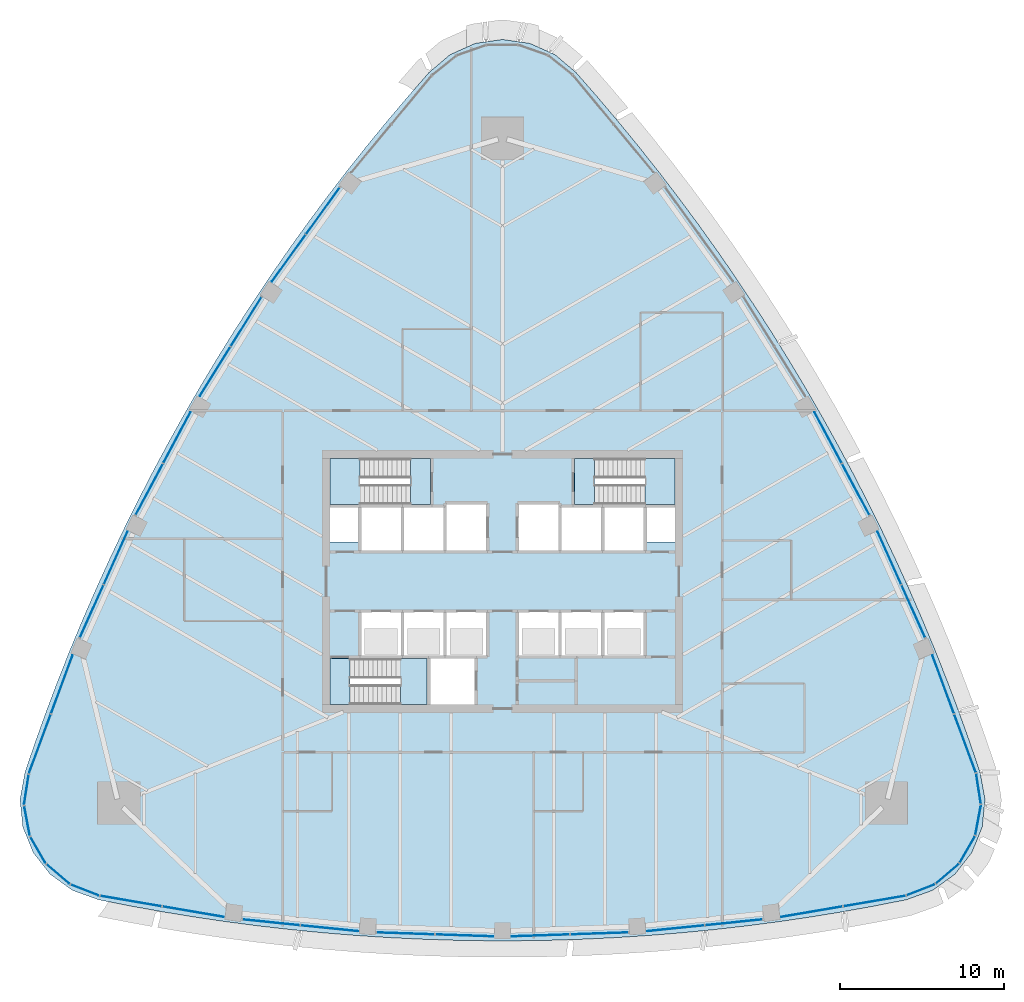
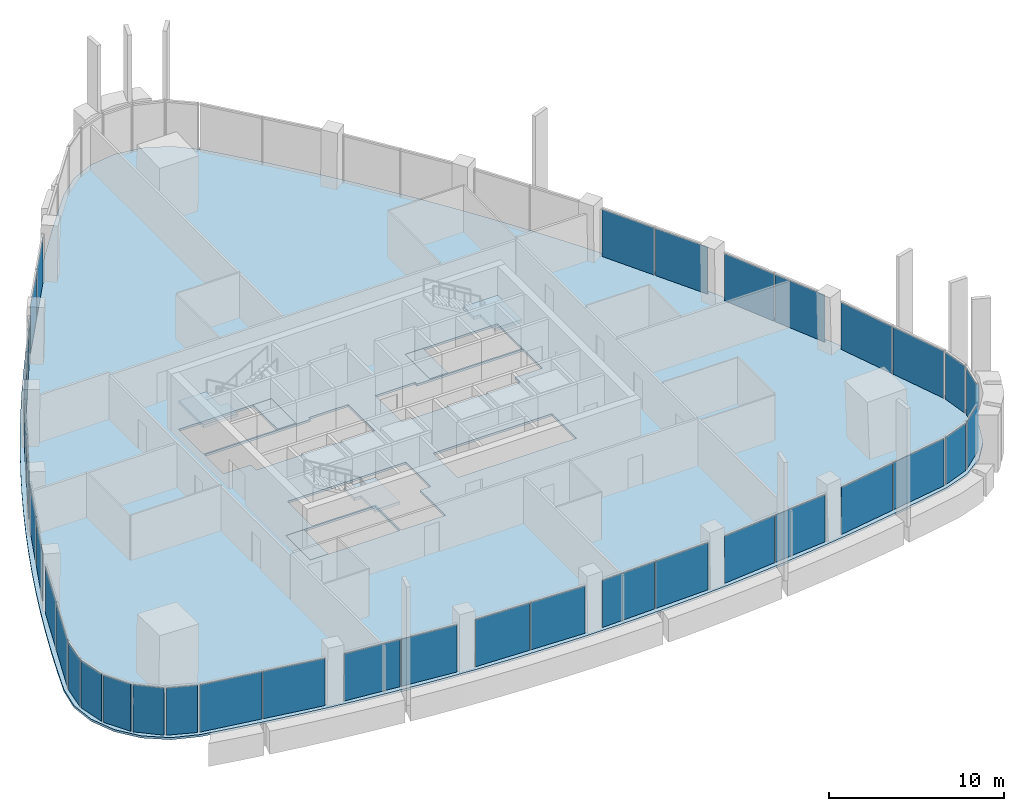
# One storey, part 8 of 19: 38 plates, 7 slabs, 27 elements without a shape of their own.
"""IFC4 building model written with IfcOpenShell, lengths in metres."""

from ifc_helpers import new_model, si_unit, direction, frame, origin, origin_2d, place, context, subcontext, project, spatial, polyline, rectangle, outline, extrude, material, layer, layer_set, type_object, element, aggregate, save


model = new_model("IFC4")

# Units and contexts
model_context = context("Model", 3, precision=1e-05, world=origin(), true_north=direction((0.0, 1.0)))
body_context = subcontext(model_context, "Body", "Model", "MODEL_VIEW")
ifc_project = project(units=[si_unit("LENGTHUNIT", "METRE"), si_unit("AREAUNIT", "SQUARE_METRE"), si_unit("VOLUMEUNIT", "CUBIC_METRE"), si_unit("PLANEANGLEUNIT", "RADIAN"), si_unit("MASSUNIT", "GRAM", prefix="KILO")], contexts=[model_context])

# Site, building, storey
site_placement = place(None, origin())
site = spatial("IfcSite", under=ifc_project, at=site_placement, CompositionType="ELEMENT")
building_placement = place(site_placement, origin())
building = spatial("IfcBuilding", under=site, at=building_placement, Name="Sierra Prisma Convention Tower", CompositionType="ELEMENT")
storey_placement = place(building_placement, frame((0.0, 0.0, 185.800048828125)))
storey = spatial("IfcBuildingStorey", under=building, at=storey_placement, Name="L41", CompositionType="ELEMENT", Elevation=185.800048828125)

# Curtain wall, plates
ifc_material_1 = material(Name="Aluminium and glass curtain wall", Category="aluminium")
ifc_layer_1 = layer(ifc_material_1, 0.179931640625)
ifc_layer_set_1 = layer_set([ifc_layer_1], Name="CW-1 Plain shaft curtain wall")
curtain_wall_type = type_object("IfcCurtainWallType", Name="CW-1 Plain shaft curtain wall", PredefinedType="NOTDEFINED", material=ifc_layer_set_1)
curtain_wall_1_placement = place(storey_placement, origin())
curtain_wall_1 = element("IfcCurtainWall", 1, at=curtain_wall_1_placement, inside=storey, type_object=curtain_wall_type, Name="CW-1 S1 L41", PredefinedType="NOTDEFINED")
ifc_material_2 = material(Name="Tinted glass bronze-grey IGU", Category="glass")
ifc_layer_2 = layer(ifc_material_2, 0.028076171875)
ifc_layer_set_2 = layer_set([ifc_layer_2], Name="CW-1 glass panel")
plate_type = type_object("IfcPlateType", Name="CW-1 glass panel", PredefinedType="CURTAIN_PANEL", material=ifc_layer_set_2)
plate_1_placement = place(storey_placement, frame((-22.64404296875, -19.47705078125, 0.0), z_axis=(0.0, 0.0, 1.0), x_axis=(0.985733658989, -0.168312666002, 0.0)))
plate_1 = element("IfcPlate", 2, at=plate_1_placement, type_object=plate_type, Name="CW-1 panel S1.1", PredefinedType="CURTAIN_PANEL", context=body_context, shape_type="SweptSolid", body=[
    extrude(rectangle(XDim=3.767333984375, YDim=0.028076171875, at=origin_2d()), origin(), (0.0, 0.0, 1.0), 3.280029296875),
])
plate_2_placement = place(storey_placement, frame((-18.861328125, -20.123046875, 0.0), z_axis=(0.0, 0.0, 1.0), x_axis=(0.985733658989, -0.168312666002, 0.0)))
plate_2 = element("IfcPlate", 3, at=plate_2_placement, type_object=plate_type, Name="CW-1 panel S1.2", PredefinedType="CURTAIN_PANEL", context=body_context, shape_type="SweptSolid", body=[
    extrude(rectangle(XDim=3.767333984375, YDim=0.028076171875, at=origin_2d()), origin(), (0.0, 0.0, 1.0), 3.280029296875),
])
aggregate(curtain_wall_1, [plate_1, plate_2])

curtain_wall_2_placement = place(storey_placement, origin())
curtain_wall_2 = element("IfcCurtainWall", 4, at=curtain_wall_2_placement, inside=storey, type_object=curtain_wall_type, Name="CW-1 S2 L41", PredefinedType="NOTDEFINED")
plate_3_placement = place(storey_placement, frame((-14.092529296875, -20.775390625, 0.0), z_axis=(0.0, 0.0, 1.0), x_axis=(0.994856274565, -0.101296559457, 0.0)))
plate_3 = element("IfcPlate", 5, at=plate_3_placement, type_object=plate_type, Name="CW-1 panel S2.1", PredefinedType="CURTAIN_PANEL", context=body_context, shape_type="SweptSolid", body=[
    extrude(rectangle(XDim=3.4951171875, YDim=0.028076171875, at=origin_2d()), origin(), (0.0, 0.0, 1.0), 3.280029296875),
])
plate_4_placement = place(storey_placement, frame((-10.5458984375, -21.136474609375, 0.0), z_axis=(0.0, 0.0, 1.0), x_axis=(0.994856274565, -0.101296559457, 0.0)))
plate_4 = element("IfcPlate", 6, at=plate_4_placement, type_object=plate_type, Name="CW-1 panel S2.2", PredefinedType="CURTAIN_PANEL", context=body_context, shape_type="SweptSolid", body=[
    extrude(rectangle(XDim=3.4951171875, YDim=0.028076171875, at=origin_2d()), origin(), (0.0, 0.0, 1.0), 3.280029296875),
])
aggregate(curtain_wall_2, [plate_3, plate_4])

curtain_wall_3_placement = place(storey_placement, origin())
curtain_wall_3 = element("IfcCurtainWall", 7, at=curtain_wall_3_placement, inside=storey, type_object=curtain_wall_type, Name="CW-1 S3 L41", PredefinedType="NOTDEFINED")
plate_5_placement = place(storey_placement, frame((-5.9033203125, -21.4501953125, 0.0), z_axis=(0.0, 0.0, 1.0), x_axis=(0.999428038849, -0.03381708389, 0.0)))
plate_5 = element("IfcPlate", 8, at=plate_5_placement, type_object=plate_type, Name="CW-1 panel S3.1", PredefinedType="CURTAIN_PANEL", context=body_context, shape_type="SweptSolid", body=[
    extrude(rectangle(XDim=3.51123046875, YDim=0.028076171875, at=origin_2d()), origin(), (0.0, 0.0, 1.0), 3.280029296875),
])
plate_6_placement = place(storey_placement, frame((-2.32421875, -21.5712890625, 0.0), z_axis=(0.0, 0.0, 1.0), x_axis=(0.999428038849, -0.03381708389, 0.0)))
plate_6 = element("IfcPlate", 9, at=plate_6_placement, type_object=plate_type, Name="CW-1 panel S3.2", PredefinedType="CURTAIN_PANEL", context=body_context, shape_type="SweptSolid", body=[
    extrude(rectangle(XDim=3.51123046875, YDim=0.028076171875, at=origin_2d()), origin(), (0.0, 0.0, 1.0), 3.280029296875),
])
aggregate(curtain_wall_3, [plate_5, plate_6])

curtain_wall_4_placement = place(storey_placement, origin())
curtain_wall_4 = element("IfcCurtainWall", 10, at=curtain_wall_4_placement, inside=storey, type_object=curtain_wall_type, Name="CW-1 S4 L41", PredefinedType="NOTDEFINED")
plate_7_placement = place(storey_placement, frame((2.32421875, -21.5712890625, 0.0), z_axis=(0.0, 0.0, 1.0), x_axis=(0.999428038849, 0.03381708389, 0.0)))
plate_7 = element("IfcPlate", 11, at=plate_7_placement, type_object=plate_type, Name="CW-1 panel S4.1", PredefinedType="CURTAIN_PANEL", context=body_context, shape_type="SweptSolid", body=[
    extrude(rectangle(XDim=3.51123046875, YDim=0.028076171875, at=origin_2d()), origin(), (0.0, 0.0, 1.0), 3.280029296875),
])
plate_8_placement = place(storey_placement, frame((5.9033203125, -21.4501953125, 0.0), z_axis=(0.0, 0.0, 1.0), x_axis=(0.999428038849, 0.03381708389, 0.0)))
plate_8 = element("IfcPlate", 12, at=plate_8_placement, type_object=plate_type, Name="CW-1 panel S4.2", PredefinedType="CURTAIN_PANEL", context=body_context, shape_type="SweptSolid", body=[
    extrude(rectangle(XDim=3.51123046875, YDim=0.028076171875, at=origin_2d()), origin(), (0.0, 0.0, 1.0), 3.280029296875),
])
aggregate(curtain_wall_4, [plate_7, plate_8])

curtain_wall_5_placement = place(storey_placement, origin())
curtain_wall_5 = element("IfcCurtainWall", 13, at=curtain_wall_5_placement, inside=storey, type_object=curtain_wall_type, Name="CW-1 S5 L41", PredefinedType="NOTDEFINED")
plate_9_placement = place(storey_placement, frame((10.5458984375, -21.136474609375, 0.0), z_axis=(0.0, 0.0, 1.0), x_axis=(0.994856274565, 0.101296559457, 0.0)))
plate_9 = element("IfcPlate", 14, at=plate_9_placement, type_object=plate_type, Name="CW-1 panel S5.1", PredefinedType="CURTAIN_PANEL", context=body_context, shape_type="SweptSolid", body=[
    extrude(rectangle(XDim=3.4951171875, YDim=0.028076171875, at=origin_2d()), origin(), (0.0, 0.0, 1.0), 3.280029296875),
])
plate_10_placement = place(storey_placement, frame((14.092529296875, -20.775390625, 0.0), z_axis=(0.0, 0.0, 1.0), x_axis=(0.994856274565, 0.101296559457, 0.0)))
plate_10 = element("IfcPlate", 15, at=plate_10_placement, type_object=plate_type, Name="CW-1 panel S5.2", PredefinedType="CURTAIN_PANEL", context=body_context, shape_type="SweptSolid", body=[
    extrude(rectangle(XDim=3.4951171875, YDim=0.028076171875, at=origin_2d()), origin(), (0.0, 0.0, 1.0), 3.280029296875),
])
aggregate(curtain_wall_5, [plate_9, plate_10])

curtain_wall_6_placement = place(storey_placement, origin())
curtain_wall_6 = element("IfcCurtainWall", 16, at=curtain_wall_6_placement, inside=storey, type_object=curtain_wall_type, Name="CW-1 S6 L41", PredefinedType="NOTDEFINED")
plate_11_placement = place(storey_placement, frame((18.861328125, -20.123046875, 0.0), z_axis=(0.0, 0.0, 1.0), x_axis=(0.985733658989, 0.168312666002, 0.0)))
plate_11 = element("IfcPlate", 17, at=plate_11_placement, type_object=plate_type, Name="CW-1 panel S6.1", PredefinedType="CURTAIN_PANEL", context=body_context, shape_type="SweptSolid", body=[
    extrude(rectangle(XDim=3.767333984375, YDim=0.028076171875, at=origin_2d()), origin(), (0.0, 0.0, 1.0), 3.280029296875),
])
plate_12_placement = place(storey_placement, frame((22.64404296875, -19.47705078125, 0.0), z_axis=(0.0, 0.0, 1.0), x_axis=(0.985733658989, 0.168312666002, 0.0)))
plate_12 = element("IfcPlate", 18, at=plate_12_placement, type_object=plate_type, Name="CW-1 panel S6.2", PredefinedType="CURTAIN_PANEL", context=body_context, shape_type="SweptSolid", body=[
    extrude(rectangle(XDim=3.767333984375, YDim=0.028076171875, at=origin_2d()), origin(), (0.0, 0.0, 1.0), 3.280029296875),
])
aggregate(curtain_wall_6, [plate_11, plate_12])

# Curtain wall, plate
curtain_wall_7_placement = place(storey_placement, origin())
curtain_wall_7 = element("IfcCurtainWall", 19, at=curtain_wall_7_placement, inside=storey, type_object=curtain_wall_type, Name="CW-1 SE1 L41", PredefinedType="NOTDEFINED")
plate_13_placement = place(storey_placement, frame((25.47021484375, -18.79736328125, 0.0), z_axis=(0.0, 0.0, 1.0), x_axis=(0.931677664368, 0.363286016409, 0.0)))
plate_13 = element("IfcPlate", 20, at=plate_13_placement, type_object=plate_type, Name="CW-1 panel SE1.1", PredefinedType="CURTAIN_PANEL", context=body_context, shape_type="SweptSolid", body=[
    extrude(rectangle(XDim=1.79248046875, YDim=0.028076171875, at=origin_2d()), origin(), (0.0, 0.0, 1.0), 3.280029296875),
])
aggregate(curtain_wall_7, [plate_13])

curtain_wall_8_placement = place(storey_placement, origin())
curtain_wall_8 = element("IfcCurtainWall", 21, at=curtain_wall_8_placement, inside=storey, type_object=curtain_wall_type, Name="CW-1 SE2 L41", PredefinedType="NOTDEFINED")
plate_14_placement = place(storey_placement, frame((27.103515625, -17.816650390625, 0.0), z_axis=(0.0, 0.0, 1.0), x_axis=(0.758690949311, 0.651450722183, 0.0)))
plate_14 = element("IfcPlate", 22, at=plate_14_placement, type_object=plate_type, Name="CW-1 panel SE2.1", PredefinedType="CURTAIN_PANEL", context=body_context, shape_type="SweptSolid", body=[
    extrude(rectangle(XDim=1.79248046875, YDim=0.028076171875, at=origin_2d()), origin(), (0.0, 0.0, 1.0), 3.280029296875),
])
aggregate(curtain_wall_8, [plate_14])

curtain_wall_9_placement = place(storey_placement, origin())
curtain_wall_9 = element("IfcCurtainWall", 23, at=curtain_wall_9_placement, inside=storey, type_object=curtain_wall_type, Name="CW-1 SE3 L41", PredefinedType="NOTDEFINED")
plate_15_placement = place(storey_placement, frame((28.31982421875, -16.350341796875, 0.0), z_axis=(0.0, 0.0, 1.0), x_axis=(0.5, 0.866025403784, 0.0)))
plate_15 = element("IfcPlate", 24, at=plate_15_placement, type_object=plate_type, Name="CW-1 panel SE3.1", PredefinedType="CURTAIN_PANEL", context=body_context, shape_type="SweptSolid", body=[
    extrude(rectangle(XDim=1.79248046875, YDim=0.028076171875, at=origin_2d()), origin(), (0.0, 0.0, 1.0), 3.280029296875),
])
aggregate(curtain_wall_9, [plate_15])

curtain_wall_10_placement = place(storey_placement, origin())
curtain_wall_10 = element("IfcCurtainWall", 25, at=curtain_wall_10_placement, inside=storey, type_object=curtain_wall_type, Name="CW-1 SE4 L41", PredefinedType="NOTDEFINED")
plate_16_placement = place(storey_placement, frame((28.9814453125, -14.56396484375, 0.0), z_axis=(0.0, 0.0, 1.0), x_axis=(0.184827400069, 0.982770996817, 0.0)))
plate_16 = element("IfcPlate", 26, at=plate_16_placement, type_object=plate_type, Name="CW-1 panel SE4.1", PredefinedType="CURTAIN_PANEL", context=body_context, shape_type="SweptSolid", body=[
    extrude(rectangle(XDim=1.79248046875, YDim=0.028076171875, at=origin_2d()), origin(), (0.0, 0.0, 1.0), 3.280029296875),
])
aggregate(curtain_wall_10, [plate_16])

curtain_wall_11_placement = place(storey_placement, origin())
curtain_wall_11 = element("IfcCurtainWall", 27, at=curtain_wall_11_placement, inside=storey, type_object=curtain_wall_type, Name="CW-1 SE5 L41", PredefinedType="NOTDEFINED")
plate_17_placement = place(storey_placement, frame((29.013916015625, -12.6591796875, 0.0), z_axis=(0.0, 0.0, 1.0), x_axis=(-0.151223913134, 0.988499533685, 0.0)))
plate_17 = element("IfcPlate", 28, at=plate_17_placement, type_object=plate_type, Name="CW-1 panel SE5.1", PredefinedType="CURTAIN_PANEL", context=body_context, shape_type="SweptSolid", body=[
    extrude(rectangle(XDim=1.79248046875, YDim=0.028076171875, at=origin_2d()), origin(), (0.0, 0.0, 1.0), 3.280029296875),
])
aggregate(curtain_wall_11, [plate_17])

# Curtain wall, plates
curtain_wall_12_placement = place(storey_placement, origin())
curtain_wall_12 = element("IfcCurtainWall", 29, at=curtain_wall_12_placement, inside=storey, type_object=curtain_wall_type, Name="CW-1 NE1 L41", PredefinedType="NOTDEFINED")
plate_18_placement = place(storey_placement, frame((28.189697265625, -9.87158203125, 0.0), z_axis=(0.0, 0.0, 1.0), x_axis=(-0.347103784958, 0.937826723051, 0.0)))
plate_18 = element("IfcPlate", 30, at=plate_18_placement, type_object=plate_type, Name="CW-1 panel NE1.1", PredefinedType="CURTAIN_PANEL", context=body_context, shape_type="SweptSolid", body=[
    extrude(rectangle(XDim=3.767333984375, YDim=0.028076171875, at=origin_2d()), origin(), (0.0, 0.0, 1.0), 3.280029296875),
])
plate_19_placement = place(storey_placement, frame((26.857666015625, -6.27294921875, 0.0), z_axis=(0.0, 0.0, 1.0), x_axis=(-0.347103784958, 0.937826723051, 0.0)))
plate_19 = element("IfcPlate", 31, at=plate_19_placement, type_object=plate_type, Name="CW-1 panel NE1.2", PredefinedType="CURTAIN_PANEL", context=body_context, shape_type="SweptSolid", body=[
    extrude(rectangle(XDim=3.767333984375, YDim=0.028076171875, at=origin_2d()), origin(), (0.0, 0.0, 1.0), 3.280029296875),
])
aggregate(curtain_wall_12, [plate_18, plate_19])

curtain_wall_13_placement = place(storey_placement, origin())
curtain_wall_13 = element("IfcCurtainWall", 32, at=curtain_wall_13_placement, inside=storey, type_object=curtain_wall_type, Name="CW-1 NE2 L41", PredefinedType="NOTDEFINED")
plate_20_placement = place(storey_placement, frame((25.038330078125, -1.817138671875, 0.0), z_axis=(0.0, 0.0, 1.0), x_axis=(-0.409702743477, 0.912219086617, 0.0)))
plate_20 = element("IfcPlate", 33, at=plate_20_placement, type_object=plate_type, Name="CW-1 panel NE2.1", PredefinedType="CURTAIN_PANEL", context=body_context, shape_type="SweptSolid", body=[
    extrude(rectangle(XDim=3.495361328125, YDim=0.028076171875, at=origin_2d()), origin(), (0.0, 0.0, 1.0), 3.280029296875),
])
plate_21_placement = place(storey_placement, frame((23.57763671875, 1.435302734375, 0.0), z_axis=(0.0, 0.0, 1.0), x_axis=(-0.409702743477, 0.912219086617, 0.0)))
plate_21 = element("IfcPlate", 34, at=plate_21_placement, type_object=plate_type, Name="CW-1 panel NE2.2", PredefinedType="CURTAIN_PANEL", context=body_context, shape_type="SweptSolid", body=[
    extrude(rectangle(XDim=3.495361328125, YDim=0.028076171875, at=origin_2d()), origin(), (0.0, 0.0, 1.0), 3.280029296875),
])
aggregate(curtain_wall_13, [plate_20, plate_21])

curtain_wall_14_placement = place(storey_placement, origin())
curtain_wall_14 = element("IfcCurtainWall", 35, at=curtain_wall_14_placement, inside=storey, type_object=curtain_wall_type, Name="CW-1 NE3 L41", PredefinedType="NOTDEFINED")
plate_22_placement = place(storey_placement, frame((21.5283203125, 5.612548828125, 0.0), z_axis=(0.0, 0.0, 1.0), x_axis=(-0.470427565693, 0.882438612843, 0.0)))
plate_22 = element("IfcPlate", 36, at=plate_22_placement, type_object=plate_type, Name="CW-1 panel NE3.1", PredefinedType="CURTAIN_PANEL", context=body_context, shape_type="SweptSolid", body=[
    extrude(rectangle(XDim=3.51123046875, YDim=0.028076171875, at=origin_2d()), origin(), (0.0, 0.0, 1.0), 3.280029296875),
])
plate_23_placement = place(storey_placement, frame((19.843505859375, 8.772705078125, 0.0), z_axis=(0.0, 0.0, 1.0), x_axis=(-0.470427565693, 0.882438612843, 0.0)))
plate_23 = element("IfcPlate", 37, at=plate_23_placement, type_object=plate_type, Name="CW-1 panel NE3.2", PredefinedType="CURTAIN_PANEL", context=body_context, shape_type="SweptSolid", body=[
    extrude(rectangle(XDim=3.51123046875, YDim=0.028076171875, at=origin_2d()), origin(), (0.0, 0.0, 1.0), 3.280029296875),
])
aggregate(curtain_wall_14, [plate_22, plate_23])

curtain_wall_15_placement = place(storey_placement, origin())
curtain_wall_15 = element("IfcCurtainWall", 38, at=curtain_wall_15_placement, inside=storey, type_object=curtain_wall_type, Name="CW-1 NW2 L41", PredefinedType="NOTDEFINED")
plate_24_placement = place(storey_placement, frame((-10.945556640625, 22.59228515625, 0.0), z_axis=(0.0, 0.0, 1.0), x_axis=(-0.585153531089, -0.810922527159, 0.0)))
plate_24 = element("IfcPlate", 39, at=plate_24_placement, type_object=plate_type, Name="CW-1 panel NW2.1", PredefinedType="CURTAIN_PANEL", context=body_context, shape_type="SweptSolid", body=[
    extrude(rectangle(XDim=3.4951171875, YDim=0.028076171875, at=origin_2d()), origin(), (0.0, 0.0, 1.0), 3.280029296875),
])
plate_25_placement = place(storey_placement, frame((-13.03173828125, 19.701171875, 0.0), z_axis=(0.0, 0.0, 1.0), x_axis=(-0.585153531089, -0.810922527159, 0.0)))
plate_25 = element("IfcPlate", 40, at=plate_25_placement, type_object=plate_type, Name="CW-1 panel NW2.2", PredefinedType="CURTAIN_PANEL", context=body_context, shape_type="SweptSolid", body=[
    extrude(rectangle(XDim=3.4951171875, YDim=0.028076171875, at=origin_2d()), origin(), (0.0, 0.0, 1.0), 3.280029296875),
])
aggregate(curtain_wall_15, [plate_24, plate_25])

curtain_wall_16_placement = place(storey_placement, origin())
curtain_wall_16 = element("IfcCurtainWall", 41, at=curtain_wall_16_placement, inside=storey, type_object=curtain_wall_type, Name="CW-1 NW3 L41", PredefinedType="NOTDEFINED")
plate_26_placement = place(storey_placement, frame((-15.624755859375, 15.837646484375, 0.0), z_axis=(0.0, 0.0, 1.0), x_axis=(-0.529000473155, -0.848621528952, 0.0)))
plate_26 = element("IfcPlate", 42, at=plate_26_placement, type_object=plate_type, Name="CW-1 panel NW3.1", PredefinedType="CURTAIN_PANEL", context=body_context, shape_type="SweptSolid", body=[
    extrude(rectangle(XDim=3.51123046875, YDim=0.028076171875, at=origin_2d()), origin(), (0.0, 0.0, 1.0), 3.280029296875),
])
plate_27_placement = place(storey_placement, frame((-17.519287109375, 12.798583984375, 0.0), z_axis=(0.0, 0.0, 1.0), x_axis=(-0.529000473155, -0.848621528952, 0.0)))
plate_27 = element("IfcPlate", 43, at=plate_27_placement, type_object=plate_type, Name="CW-1 panel NW3.2", PredefinedType="CURTAIN_PANEL", context=body_context, shape_type="SweptSolid", body=[
    extrude(rectangle(XDim=3.51123046875, YDim=0.028076171875, at=origin_2d()), origin(), (0.0, 0.0, 1.0), 3.280029296875),
])
aggregate(curtain_wall_16, [plate_26, plate_27])

curtain_wall_17_placement = place(storey_placement, origin())
curtain_wall_17 = element("IfcCurtainWall", 44, at=curtain_wall_17_placement, inside=storey, type_object=curtain_wall_type, Name="CW-1 NW4 L41", PredefinedType="NOTDEFINED")
plate_28_placement = place(storey_placement, frame((-19.843505859375, 8.772705078125, 0.0), z_axis=(0.0, 0.0, 1.0), x_axis=(-0.470427565693, -0.882438612843, 0.0)))
plate_28 = element("IfcPlate", 45, at=plate_28_placement, type_object=plate_type, Name="CW-1 panel NW4.1", PredefinedType="CURTAIN_PANEL", context=body_context, shape_type="SweptSolid", body=[
    extrude(rectangle(XDim=3.51123046875, YDim=0.028076171875, at=origin_2d()), origin(), (0.0, 0.0, 1.0), 3.280029296875),
])
plate_29_placement = place(storey_placement, frame((-21.528076171875, 5.612548828125, 0.0), z_axis=(0.0, 0.0, 1.0), x_axis=(-0.470427565693, -0.882438612843, 0.0)))
plate_29 = element("IfcPlate", 46, at=plate_29_placement, type_object=plate_type, Name="CW-1 panel NW4.2", PredefinedType="CURTAIN_PANEL", context=body_context, shape_type="SweptSolid", body=[
    extrude(rectangle(XDim=3.51123046875, YDim=0.028076171875, at=origin_2d()), origin(), (0.0, 0.0, 1.0), 3.280029296875),
])
aggregate(curtain_wall_17, [plate_28, plate_29])

curtain_wall_18_placement = place(storey_placement, origin())
curtain_wall_18 = element("IfcCurtainWall", 47, at=curtain_wall_18_placement, inside=storey, type_object=curtain_wall_type, Name="CW-1 NW5 L41", PredefinedType="NOTDEFINED")
plate_30_placement = place(storey_placement, frame((-23.57763671875, 1.435302734375, 0.0), z_axis=(0.0, 0.0, 1.0), x_axis=(-0.409702743477, -0.912219086617, 0.0)))
plate_30 = element("IfcPlate", 48, at=plate_30_placement, type_object=plate_type, Name="CW-1 panel NW5.1", PredefinedType="CURTAIN_PANEL", context=body_context, shape_type="SweptSolid", body=[
    extrude(rectangle(XDim=3.4951171875, YDim=0.028076171875, at=origin_2d()), origin(), (0.0, 0.0, 1.0), 3.280029296875),
])
plate_31_placement = place(storey_placement, frame((-25.038330078125, -1.81689453125, 0.0), z_axis=(0.0, 0.0, 1.0), x_axis=(-0.409702743477, -0.912219086617, 0.0)))
plate_31 = element("IfcPlate", 49, at=plate_31_placement, type_object=plate_type, Name="CW-1 panel NW5.2", PredefinedType="CURTAIN_PANEL", context=body_context, shape_type="SweptSolid", body=[
    extrude(rectangle(XDim=3.4951171875, YDim=0.028076171875, at=origin_2d()), origin(), (0.0, 0.0, 1.0), 3.280029296875),
])
aggregate(curtain_wall_18, [plate_30, plate_31])

curtain_wall_19_placement = place(storey_placement, origin())
curtain_wall_19 = element("IfcCurtainWall", 50, at=curtain_wall_19_placement, inside=storey, type_object=curtain_wall_type, Name="CW-1 NW6 L41", PredefinedType="NOTDEFINED")
plate_32_placement = place(storey_placement, frame((-26.857666015625, -6.27294921875, 0.0), z_axis=(0.0, 0.0, 1.0), x_axis=(-0.347103784958, -0.937826723051, 0.0)))
plate_32 = element("IfcPlate", 51, at=plate_32_placement, type_object=plate_type, Name="CW-1 panel NW6.1", PredefinedType="CURTAIN_PANEL", context=body_context, shape_type="SweptSolid", body=[
    extrude(rectangle(XDim=3.767333984375, YDim=0.028076171875, at=origin_2d()), origin(), (0.0, 0.0, 1.0), 3.280029296875),
])
plate_33_placement = place(storey_placement, frame((-28.189697265625, -9.87158203125, 0.0), z_axis=(0.0, 0.0, 1.0), x_axis=(-0.347103784958, -0.937826723051, 0.0)))
plate_33 = element("IfcPlate", 52, at=plate_33_placement, type_object=plate_type, Name="CW-1 panel NW6.2", PredefinedType="CURTAIN_PANEL", context=body_context, shape_type="SweptSolid", body=[
    extrude(rectangle(XDim=3.767333984375, YDim=0.028076171875, at=origin_2d()), origin(), (0.0, 0.0, 1.0), 3.280029296875),
])
aggregate(curtain_wall_19, [plate_32, plate_33])

# Curtain wall, plate
curtain_wall_20_placement = place(storey_placement, origin())
curtain_wall_20 = element("IfcCurtainWall", 53, at=curtain_wall_20_placement, inside=storey, type_object=curtain_wall_type, Name="CW-1 SW1 L41", PredefinedType="NOTDEFINED")
plate_34_placement = place(storey_placement, frame((-29.013916015625, -12.6591796875, 0.0), z_axis=(0.0, 0.0, 1.0), x_axis=(-0.151223913134, -0.988499533685, 0.0)))
plate_34 = element("IfcPlate", 54, at=plate_34_placement, type_object=plate_type, Name="CW-1 panel SW1.1", PredefinedType="CURTAIN_PANEL", context=body_context, shape_type="SweptSolid", body=[
    extrude(rectangle(XDim=1.79248046875, YDim=0.028076171875, at=origin_2d()), origin(), (0.0, 0.0, 1.0), 3.280029296875),
])
aggregate(curtain_wall_20, [plate_34])

curtain_wall_21_placement = place(storey_placement, origin())
curtain_wall_21 = element("IfcCurtainWall", 55, at=curtain_wall_21_placement, inside=storey, type_object=curtain_wall_type, Name="CW-1 SW2 L41", PredefinedType="NOTDEFINED")
plate_35_placement = place(storey_placement, frame((-28.9814453125, -14.56396484375, 0.0), z_axis=(0.0, 0.0, 1.0), x_axis=(0.184827400069, -0.982770996817, 0.0)))
plate_35 = element("IfcPlate", 56, at=plate_35_placement, type_object=plate_type, Name="CW-1 panel SW2.1", PredefinedType="CURTAIN_PANEL", context=body_context, shape_type="SweptSolid", body=[
    extrude(rectangle(XDim=1.79248046875, YDim=0.028076171875, at=origin_2d()), origin(), (0.0, 0.0, 1.0), 3.280029296875),
])
aggregate(curtain_wall_21, [plate_35])

curtain_wall_22_placement = place(storey_placement, origin())
curtain_wall_22 = element("IfcCurtainWall", 57, at=curtain_wall_22_placement, inside=storey, type_object=curtain_wall_type, Name="CW-1 SW3 L41", PredefinedType="NOTDEFINED")
plate_36_placement = place(storey_placement, frame((-28.31982421875, -16.350341796875, 0.0), z_axis=(0.0, 0.0, 1.0), x_axis=(0.5, -0.866025403784, 0.0)))
plate_36 = element("IfcPlate", 58, at=plate_36_placement, type_object=plate_type, Name="CW-1 panel SW3.1", PredefinedType="CURTAIN_PANEL", context=body_context, shape_type="SweptSolid", body=[
    extrude(rectangle(XDim=1.79248046875, YDim=0.028076171875, at=origin_2d()), origin(), (0.0, 0.0, 1.0), 3.280029296875),
])
aggregate(curtain_wall_22, [plate_36])

curtain_wall_23_placement = place(storey_placement, origin())
curtain_wall_23 = element("IfcCurtainWall", 59, at=curtain_wall_23_placement, inside=storey, type_object=curtain_wall_type, Name="CW-1 SW4 L41", PredefinedType="NOTDEFINED")
plate_37_placement = place(storey_placement, frame((-27.103515625, -17.816650390625, 0.0), z_axis=(0.0, 0.0, 1.0), x_axis=(0.758690949311, -0.651450722183, 0.0)))
plate_37 = element("IfcPlate", 60, at=plate_37_placement, type_object=plate_type, Name="CW-1 panel SW4.1", PredefinedType="CURTAIN_PANEL", context=body_context, shape_type="SweptSolid", body=[
    extrude(rectangle(XDim=1.79248046875, YDim=0.028076171875, at=origin_2d()), origin(), (0.0, 0.0, 1.0), 3.280029296875),
])
aggregate(curtain_wall_23, [plate_37])

curtain_wall_24_placement = place(storey_placement, origin())
curtain_wall_24 = element("IfcCurtainWall", 61, at=curtain_wall_24_placement, inside=storey, type_object=curtain_wall_type, Name="CW-1 SW5 L41", PredefinedType="NOTDEFINED")
plate_38_placement = place(storey_placement, frame((-25.47021484375, -18.79736328125, 0.0), z_axis=(0.0, 0.0, 1.0), x_axis=(0.931677664368, -0.363286016409, 0.0)))
plate_38 = element("IfcPlate", 62, at=plate_38_placement, type_object=plate_type, Name="CW-1 panel SW5.1", PredefinedType="CURTAIN_PANEL", context=body_context, shape_type="SweptSolid", body=[
    extrude(rectangle(XDim=1.79248046875, YDim=0.028076171875, at=origin_2d()), origin(), (0.0, 0.0, 1.0), 3.280029296875),
])
aggregate(curtain_wall_24, [plate_38])

# Slab
ifc_material_3 = material(Name="Concrete C35/45", Category="concrete")
ifc_layer_3 = layer(ifc_material_3, 0.14990234375)
ifc_layer_set_3 = layer_set([ifc_layer_3], Name="Composite floor slab 150")
slab_type_1 = type_object("IfcSlabType", Name="Composite floor slab 150", PredefinedType="FLOOR", material=ifc_layer_set_3)
slab_1_placement = place(storey_placement, frame((0.0, 0.0, -0.150146484375)))
element("IfcSlab", 63, at=slab_1_placement, inside=storey, type_object=slab_type_1, Name="Floor slab L41 floor", PredefinedType="FLOOR", context=body_context, shape_type="SweptSolid", body=[
    extrude(outline(polyline([(-24.6201171875, -19.39306640625), (-22.674560546875, -19.777099609375), (-20.722900390625, -20.12939453125), (-18.765869140625, -20.449951171875), (-16.8037109375, -20.73876953125), (-14.83740234375, -20.99560546875), (-12.866943359375, -21.220458984375), (-10.89306640625, -21.413330078125), (-8.91650390625, -21.57421875), (-6.9375, -21.702880859375), (-4.95654296875, -21.79931640625), (-2.974609375, -21.86376953125), (-0.99169921875, -21.89599609375), (0.99169921875, -21.89599609375), (2.974609375, -21.86376953125), (4.95654296875, -21.79931640625), (6.9375, -21.702880859375), (8.91650390625, -21.57421875), (10.89306640625, -21.413330078125), (12.866943359375, -21.220458984375), (14.83740234375, -20.99560546875), (16.8037109375, -20.73876953125), (18.765869140625, -20.449951171875), (20.722900390625, -20.12939453125), (22.674560546875, -19.777099609375), (24.6201171875, -19.39306640625), (26.204833984375, -18.826171875), (27.569580078125, -17.84130859375), (28.607177734375, -16.516357421875), (29.23583984375, -14.955322265625), (29.40625, -13.281005859375), (29.10498046875, -11.625244140625), (28.46484375, -9.748291015625), (27.7939453125, -7.8818359375), (27.093017578125, -6.026611328125), (26.362060546875, -4.18310546875), (25.601318359375, -2.351806640625), (24.810791015625, -0.532958984375), (23.990966796875, 1.27294921875), (23.14208984375, 3.065185546875), (22.263916015625, 4.843505859375), (21.357177734375, 6.607177734375), (20.421875, 8.35595703125), (19.458251953125, 10.08935546875), (18.466796875, 11.806640625), (17.447265625, 13.5078125), (16.400390625, 15.1923828125), (15.326416015625, 16.859375), (14.2255859375, 18.509033203125), (13.097900390625, 20.140380859375), (11.944091796875, 21.753173828125), (10.763916015625, 23.34716796875), (9.558349609375, 24.921875), (8.3271484375, 26.4765625), (7.071044921875, 28.01123046875), (5.790283203125, 29.525390625), (4.48486328125, 31.018310546875), (3.201416015625, 32.10693359375), (1.666259765625, 32.796630859375), (0.0, 33.032470703125), (-1.666259765625, 32.796630859375), (-3.201416015625, 32.10693359375), (-4.48486328125, 31.018310546875), (-5.790283203125, 29.525390625), (-7.071044921875, 28.01123046875), (-8.3271484375, 26.4765625), (-9.558349609375, 24.921875), (-10.763916015625, 23.34716796875), (-11.944091796875, 21.753173828125), (-13.097900390625, 20.140380859375), (-14.2255859375, 18.509033203125), (-15.326416015625, 16.859375), (-16.400390625, 15.1923828125), (-17.447265625, 13.5078125), (-18.466796875, 11.806640625), (-19.458251953125, 10.08935546875), (-20.421875, 8.35595703125), (-21.357177734375, 6.607177734375), (-22.263916015625, 4.843505859375), (-23.14208984375, 3.065185546875), (-23.990966796875, 1.27294921875), (-24.810791015625, -0.532958984375), (-25.601318359375, -2.351806640625), (-26.362060546875, -4.18310546875), (-27.093017578125, -6.026611328125), (-27.7939453125, -7.8818359375), (-28.46484375, -9.748291015625), (-29.10498046875, -11.625244140625), (-29.40625, -13.281005859375), (-29.23583984375, -14.955322265625), (-28.607177734375, -16.516357421875), (-27.569580078125, -17.84130859375), (-26.204833984375, -18.826171875), (-24.6201171875, -19.39306640625)]), holes=[polyline([(-4.60009765625, -7.5), (-10.5, -7.5), (-10.5, -4.699951171875), (-4.60009765625, -4.699951171875), (-4.60009765625, -7.5)]), polyline([(-8.699951171875, -4.60009765625), (-8.699951171875, -1.800048828125), (-6.10009765625, -1.800048828125), (-3.5, -1.800048828125), (-0.89990234375, -1.800048828125), (-0.89990234375, -4.60009765625), (-1.60009765625, -4.60009765625), (-1.60009765625, -7.5), (-4.5, -7.5), (-4.5, -4.60009765625), (-6.10009765625, -4.60009765625), (-8.699951171875, -4.60009765625)]), polyline([(-10.5, 4.60009765625), (-8.699951171875, 4.60009765625), (-6.10009765625, 4.60009765625), (-3.5, 4.60009765625), (-3.5, 4.800048828125), (-0.89990234375, 4.800048828125), (-0.89990234375, 1.800048828125), (-3.5, 1.800048828125), (-6.10009765625, 1.800048828125), (-8.699951171875, 1.800048828125), (-8.699951171875, 2.39990234375), (-10.5, 2.39990234375), (-10.5, 4.60009765625)]), polyline([(-10.5, 4.699951171875), (-10.5, 7.5), (-4.39990234375, 7.5), (-4.39990234375, 4.699951171875), (-10.5, 4.699951171875)]), polyline([(6.10009765625, -1.800048828125), (8.699951171875, -1.800048828125), (8.699951171875, -4.60009765625), (6.10009765625, -4.60009765625), (3.5, -4.60009765625), (0.89990234375, -4.60009765625), (0.89990234375, -1.800048828125), (3.5, -1.800048828125), (6.10009765625, -1.800048828125)]), polyline([(8.699951171875, 4.60009765625), (10.5, 4.60009765625), (10.5, 2.39990234375), (8.699951171875, 2.39990234375), (8.699951171875, 1.800048828125), (6.10009765625, 1.800048828125), (3.5, 1.800048828125), (0.89990234375, 1.800048828125), (0.89990234375, 4.800048828125), (3.5, 4.800048828125), (3.5, 4.60009765625), (6.10009765625, 4.60009765625), (8.699951171875, 4.60009765625)]), polyline([(4.39990234375, 4.699951171875), (4.39990234375, 7.5), (10.5, 7.5), (10.5, 4.699951171875), (4.39990234375, 4.699951171875)])]), origin(), (0.0, 0.0, 1.0), 0.150146484375),
])

# Stair, slab
ifc_material_4 = material(Name="Concrete C30/37", Category="concrete")
stair_type = type_object("IfcStairType", Name="Stair dog-leg 1200 RC", PredefinedType="HALF_TURN_STAIR", material=ifc_material_4)
stair_1_placement = place(storey_placement, origin())
stair_1 = element("IfcStair", 64, at=stair_1_placement, inside=storey, type_object=stair_type, Name="L41 S1", PredefinedType="HALF_TURN_STAIR")
ifc_material_5 = material(Name="Concrete C35/45", Category="concrete")
ifc_layer_4 = layer(ifc_material_5, 0.199951171875)
ifc_layer_set_4 = layer_set([ifc_layer_4], Name="Stair landing slab")
slab_type_2 = type_object("IfcSlabType", Name="Stair landing slab", PredefinedType="LANDING", material=ifc_layer_set_4)
slab_2_placement = place(storey_placement, frame((0.0, 0.0, 1.800048828125)))
slab_2 = element("IfcSlab", 65, at=slab_2_placement, type_object=slab_type_2, Name="S1 landing 1", PredefinedType="LANDING", context=body_context, shape_type="SweptSolid", body=[
    extrude(outline(polyline([(-4.60009765625, -4.699951171875), (-4.60009765625, -7.5), (-6.221923828125, -7.5), (-6.221923828125, -5.89990234375), (-6.669921875, -5.89990234375), (-6.669921875, -4.699951171875), (-4.60009765625, -4.699951171875)])), origin(), (0.0, 0.0, 1.0), 0.199951171875),
])
aggregate(stair_1, [slab_2])

# Slab
slab_3_placement = place(storey_placement, frame((0.0, 0.0, -0.199951171875)))
element("IfcSlab", 66, at=slab_3_placement, inside=storey, type_object=slab_type_2, Name="S1 floor landing L41", PredefinedType="LANDING", context=body_context, shape_type="SweptSolid", body=[
    extrude(outline(polyline([(-10.5, -7.5), (-9.298095703125, -7.5), (-9.298095703125, -4.699951171875), (-10.5, -4.699951171875), (-10.5, -7.5)])), origin(), (0.0, 0.0, 1.0), 0.199951171875),
])

# Stair, slab
stair_2_placement = place(storey_placement, origin())
stair_2 = element("IfcStair", 67, at=stair_2_placement, inside=storey, type_object=stair_type, Name="L41 S3", PredefinedType="HALF_TURN_STAIR")
slab_4_placement = place(storey_placement, frame((0.0, 0.0, 1.800048828125)))
slab_4 = element("IfcSlab", 68, at=slab_4_placement, type_object=slab_type_2, Name="S3 landing 1", PredefinedType="LANDING", context=body_context, shape_type="SweptSolid", body=[
    extrude(outline(polyline([(-8.22998046875, 5.89990234375), (-8.22998046875, 4.699951171875), (-10.5, 4.699951171875), (-10.5, 7.5), (-8.677978515625, 7.5), (-8.677978515625, 5.89990234375), (-8.22998046875, 5.89990234375)])), origin(), (0.0, 0.0, 1.0), 0.199951171875),
])
aggregate(stair_2, [slab_4])

# Slab
slab_5_placement = place(storey_placement, frame((0.0, 0.0, -0.199951171875)))
element("IfcSlab", 69, at=slab_5_placement, inside=storey, type_object=slab_type_2, Name="S3 floor landing L41", PredefinedType="LANDING", context=body_context, shape_type="SweptSolid", body=[
    extrude(outline(polyline([(-4.39990234375, 7.5), (-5.60205078125, 7.5), (-5.60205078125, 4.699951171875), (-4.39990234375, 4.699951171875), (-4.39990234375, 7.5)])), origin(), (0.0, 0.0, 1.0), 0.199951171875),
])

# Stair, slab
stair_3_placement = place(storey_placement, origin())
stair_3 = element("IfcStair", 70, at=stair_3_placement, inside=storey, type_object=stair_type, Name="L41 S4", PredefinedType="HALF_TURN_STAIR")
slab_6_placement = place(storey_placement, frame((0.0, 0.0, 1.800048828125)))
slab_6 = element("IfcSlab", 71, at=slab_6_placement, type_object=slab_type_2, Name="S4 landing 1", PredefinedType="LANDING", context=body_context, shape_type="SweptSolid", body=[
    extrude(outline(polyline([(10.5, 7.5), (10.5, 4.699951171875), (8.677978515625, 4.699951171875), (8.677978515625, 6.300048828125), (8.22998046875, 6.300048828125), (8.22998046875, 7.5), (10.5, 7.5)])), origin(), (0.0, 0.0, 1.0), 0.199951171875),
])
aggregate(stair_3, [slab_6])

# Slab
slab_7_placement = place(storey_placement, frame((0.0, 0.0, -0.199951171875)))
element("IfcSlab", 72, at=slab_7_placement, inside=storey, type_object=slab_type_2, Name="S4 floor landing L41", PredefinedType="LANDING", context=body_context, shape_type="SweptSolid", body=[
    extrude(outline(polyline([(4.39990234375, 4.699951171875), (5.60205078125, 4.699951171875), (5.60205078125, 7.5), (4.39990234375, 7.5), (4.39990234375, 4.699951171875)])), origin(), (0.0, 0.0, 1.0), 0.199951171875),
])

save(model, "model.ifc")
